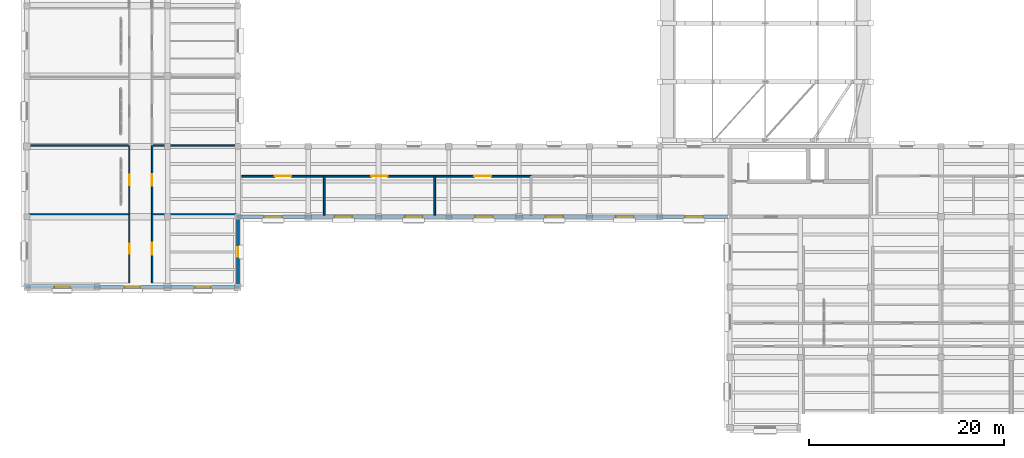
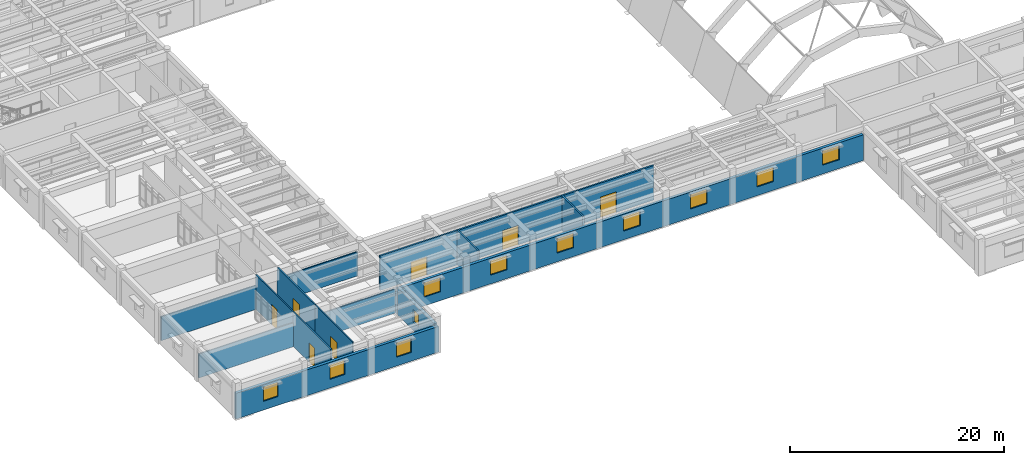
# One storey, part 37 of 66: 16 walls, 11 windows, 7 doors, 18 openings.
"""IFC4 building model written with IfcOpenShell, lengths in metres."""

from ifc_helpers import new_model, si_unit, direction, frame, frame_2d, origin, place, context, subcontext, project, spatial, rectangle, extrude, material, layer, layer_set, type_object, element, fill, save


model = new_model("IFC4")

# Units and contexts
model_context = context("Model", 3, precision=1e-05, world=origin(), true_north=direction((0.0, 1.0)))
body_context = subcontext(model_context, "Body", "Model", "MODEL_VIEW")
ifc_project = project(units=[si_unit("LENGTHUNIT", "METRE"), si_unit("AREAUNIT", "SQUARE_METRE"), si_unit("VOLUMEUNIT", "CUBIC_METRE"), si_unit("PLANEANGLEUNIT", "RADIAN"), si_unit("MASSUNIT", "GRAM", prefix="KILO")], contexts=[model_context])

# Site, building, storey
site_placement = place(None, origin())
site = spatial("IfcSite", under=ifc_project, at=site_placement, CompositionType="ELEMENT")
building_placement = place(site_placement, origin())
building = spatial("IfcBuilding", under=site, at=building_placement, Name="Mithqara Police Headquarters", CompositionType="ELEMENT")
storey_placement = place(building_placement, frame((0.0, 0.0, 9.60009765625)))
storey = spatial("IfcBuildingStorey", under=building, at=storey_placement, Name="L02", CompositionType="ELEMENT", Elevation=9.60009765625)

# Wall, openings, windows
ifc_material_1 = material(Name="Limestone ashlar masonry, 45 MPa", Category="masonry")
ifc_layer_1 = layer(ifc_material_1, 0.320068359375, Name="Limestone ashlar masonry, 45 MPa")
ifc_layer_set_1 = layer_set([ifc_layer_1], Name="Limestone ashlar masonry, 45 MPa")
wall_type_1 = type_object("IfcWallType", Name="EXT WALL LIMESTONE320", PredefinedType="SOLIDWALL", material=ifc_layer_set_1)
wall_1_placement = place(storey_placement, frame((7.639892578125, 21.0, 0.0), z_axis=(0.0, 0.0, 1.0), x_axis=(1.0, 0.0, 0.0)))
wall_1 = element("IfcWall", 1, at=wall_1_placement, inside=storey, type_object=wall_type_1, Name="L02 Exterior Wall 16.1", PredefinedType="SOLIDWALL", context=body_context, shape_type="SweptSolid", body=[
    extrude(rectangle(XDim=21.920166015625, YDim=0.320068359375, at=frame_2d((10.9599609375, 0.0))), origin(), (0.0, 0.0, 1.0), 2.93994140625),
])
opening_1_placement = place(wall_1_placement, frame((2.9599609375, 0.0, 1.0)))
opening_1 = element("IfcOpeningElement", 2, at=opening_1_placement, cuts=wall_1, Name="Opening W-27", PredefinedType="OPENING", context=body_context, shape_type="SweptSolid", body=[
    extrude(rectangle(XDim=1.60009765625, YDim=1.64990234375, at=frame_2d((0.800048828125, 0.824951171875))), frame((0.0, 0.169921875, 0.0), z_axis=(0.0, -1.0, 0.0), x_axis=(1.0, 0.0, 0.0)), (0.0, 0.0, 1.0), 0.340087890625),
])
opening_2_placement = place(wall_1_placement, frame((10.159912109375, 0.0, 1.0)))
opening_2 = element("IfcOpeningElement", 3, at=opening_2_placement, cuts=wall_1, Name="Opening W-27", PredefinedType="OPENING", context=body_context, shape_type="SweptSolid", body=[
    extrude(rectangle(XDim=1.60009765625, YDim=1.64990234375, at=frame_2d((0.800048828125, 0.824951171875))), frame((0.0, 0.169921875, 0.0), z_axis=(0.0, -1.0, 0.0), x_axis=(1.0, 0.0, 0.0)), (0.0, 0.0, 1.0), 0.340087890625),
])
opening_3_placement = place(wall_1_placement, frame((17.360107421875, 0.0, 1.0)))
opening_3 = element("IfcOpeningElement", 4, at=opening_3_placement, cuts=wall_1, Name="Opening W-27", PredefinedType="OPENING", context=body_context, shape_type="SweptSolid", body=[
    extrude(rectangle(XDim=1.60009765625, YDim=1.64990234375, at=frame_2d((0.800048828125, 0.824951171875))), frame((0.0, 0.169921875, 0.0), z_axis=(0.0, -1.0, 0.0), x_axis=(1.0, 0.0, 0.0)), (0.0, 0.0, 1.0), 0.340087890625),
])
ifc_material_2 = material(Name="Spectrally selective double low-e glass", Category="glass")
window_type_1 = type_object("IfcWindowType", Name="WINDOW 1600X1650", PartitioningType="SINGLE_PANEL", PredefinedType="WINDOW", material=ifc_material_2)
window_1_placement = place(opening_1_placement, origin())
window_1 = element("IfcWindow", 5, at=window_1_placement, inside=storey, type_object=window_type_1, Name="L02 Deep-Set Punched Window 16.1", OverallHeight=1.64990234375, OverallWidth=1.60009765625, PartitioningType="SINGLE_PANEL", PredefinedType="WINDOW", context=body_context, shape_type="SweptSolid", body=[
    extrude(rectangle(XDim=1.60009765625, YDim=1.64990234375, at=frame_2d((0.800048828125, 0.824951171875))), frame((0.0, 0.030029296875, 0.0), z_axis=(0.0, -1.0, 0.0), x_axis=(1.0, 0.0, 0.0)), (0.0, 0.0, 1.0), 0.06005859375),
])
fill(opening_1, window_1)
window_2_placement = place(opening_2_placement, origin())
window_2 = element("IfcWindow", 6, at=window_2_placement, inside=storey, type_object=window_type_1, Name="L02 Deep-Set Punched Window 16.2", OverallHeight=1.64990234375, OverallWidth=1.60009765625, PartitioningType="SINGLE_PANEL", PredefinedType="WINDOW", context=body_context, shape_type="SweptSolid", body=[
    extrude(rectangle(XDim=1.60009765625, YDim=1.64990234375, at=frame_2d((0.800048828125, 0.824951171875))), frame((0.0, 0.030029296875, 0.0), z_axis=(0.0, -1.0, 0.0), x_axis=(1.0, 0.0, 0.0)), (0.0, 0.0, 1.0), 0.06005859375),
])
fill(opening_2, window_2)
window_3_placement = place(opening_3_placement, origin())
window_3 = element("IfcWindow", 7, at=window_3_placement, inside=storey, type_object=window_type_1, Name="L02 Deep-Set Punched Window 16.3", OverallHeight=1.64990234375, OverallWidth=1.60009765625, PartitioningType="SINGLE_PANEL", PredefinedType="WINDOW", context=body_context, shape_type="SweptSolid", body=[
    extrude(rectangle(XDim=1.60009765625, YDim=1.64990234375, at=frame_2d((0.800048828125, 0.824951171875))), frame((0.0, 0.030029296875, 0.0), z_axis=(0.0, -1.0, 0.0), x_axis=(1.0, 0.0, 0.0)), (0.0, 0.0, 1.0), 0.06005859375),
])
fill(opening_3, window_3)

# Wall, opening, window
wall_2_placement = place(storey_placement, frame((29.39990234375, 21.159912109375, 0.0), z_axis=(0.0, 0.0, 1.0), x_axis=(0.0, 1.0, 0.0)))
wall_2 = element("IfcWall", 8, at=wall_2_placement, inside=storey, type_object=wall_type_1, Name="L02 Exterior Wall 17.1", PredefinedType="SOLIDWALL", context=body_context, shape_type="SweptSolid", body=[
    extrude(rectangle(XDim=6.880126953125, YDim=0.320068359375, at=frame_2d((3.43994140625, 0.0))), origin(), (0.0, 0.0, 1.0), 3.139892578125),
])
opening_4_placement = place(wall_2_placement, frame((2.93994140625, 0.0, 1.0)))
opening_4 = element("IfcOpeningElement", 9, at=opening_4_placement, cuts=wall_2, Name="Opening W-06", PredefinedType="OPENING", context=body_context, shape_type="SweptSolid", body=[
    extrude(rectangle(XDim=1.0, YDim=1.39990234375, at=frame_2d((0.5, 0.699951171875))), frame((0.0, 0.169921875, 0.0), z_axis=(0.0, -1.0, 0.0), x_axis=(1.0, 0.0, 0.0)), (0.0, 0.0, 1.0), 0.340087890625),
])
window_type_2 = type_object("IfcWindowType", Name="WINDOW 1000X1400", PartitioningType="SINGLE_PANEL", PredefinedType="WINDOW", material=ifc_material_2)
window_4_placement = place(opening_4_placement, origin())
window_4 = element("IfcWindow", 10, at=window_4_placement, inside=storey, type_object=window_type_2, Name="L02 Deep-Set Punched Window 17.1", OverallHeight=1.39990234375, OverallWidth=1.0, PartitioningType="SINGLE_PANEL", PredefinedType="WINDOW", context=body_context, shape_type="SweptSolid", body=[
    extrude(rectangle(XDim=1.0, YDim=1.39990234375, at=frame_2d((0.5, 0.699951171875))), frame((0.0, 0.030029296875, 0.0), z_axis=(0.0, -1.0, 0.0), x_axis=(1.0, 0.0, 0.0)), (0.0, 0.0, 1.0), 0.06005859375),
])
fill(opening_4, window_4)

# Wall, openings, windows
wall_3_placement = place(storey_placement, frame((29.239990234375, 28.199951171875, 0.0), z_axis=(0.0, 0.0, 1.0), x_axis=(1.0, 0.0, 0.0)))
wall_3 = element("IfcWall", 11, at=wall_3_placement, inside=storey, type_object=wall_type_1, Name="L02 Exterior Wall 18.1", PredefinedType="SOLIDWALL", context=body_context, shape_type="SweptSolid", body=[
    extrude(rectangle(XDim=50.3701171875, YDim=0.320068359375, at=frame_2d((25.18505859375, 0.0))), origin(), (0.0, 0.0, 1.0), 2.93994140625),
])
opening_5_placement = place(wall_3_placement, frame((2.860107421875, 0.0, 1.0)))
opening_5 = element("IfcOpeningElement", 12, at=opening_5_placement, cuts=wall_3, Name="Opening W-32", PredefinedType="OPENING", context=body_context, shape_type="SweptSolid", body=[
    extrude(rectangle(XDim=1.800048828125, YDim=1.64990234375, at=frame_2d((0.89990234375, 0.824951171875))), frame((0.0, 0.169921875, 0.0), z_axis=(0.0, -1.0, 0.0), x_axis=(1.0, 0.0, 0.0)), (0.0, 0.0, 1.0), 0.340087890625),
])
opening_6_placement = place(wall_3_placement, frame((10.06005859375, 0.0, 1.0)))
opening_6 = element("IfcOpeningElement", 13, at=opening_6_placement, cuts=wall_3, Name="Opening W-32", PredefinedType="OPENING", context=body_context, shape_type="SweptSolid", body=[
    extrude(rectangle(XDim=1.800048828125, YDim=1.64990234375, at=frame_2d((0.89990234375, 0.824951171875))), frame((0.0, 0.169921875, 0.0), z_axis=(0.0, -1.0, 0.0), x_axis=(1.0, 0.0, 0.0)), (0.0, 0.0, 1.0), 0.340087890625),
])
opening_7_placement = place(wall_3_placement, frame((17.260009765625, 0.0, 1.0)))
opening_7 = element("IfcOpeningElement", 14, at=opening_7_placement, cuts=wall_3, Name="Opening W-32", PredefinedType="OPENING", context=body_context, shape_type="SweptSolid", body=[
    extrude(rectangle(XDim=1.800048828125, YDim=1.64990234375, at=frame_2d((0.89990234375, 0.824951171875))), frame((0.0, 0.169921875, 0.0), z_axis=(0.0, -1.0, 0.0), x_axis=(1.0, 0.0, 0.0)), (0.0, 0.0, 1.0), 0.340087890625),
])
opening_8_placement = place(wall_3_placement, frame((24.4599609375, 0.0, 1.0)))
opening_8 = element("IfcOpeningElement", 15, at=opening_8_placement, cuts=wall_3, Name="Opening W-32", PredefinedType="OPENING", context=body_context, shape_type="SweptSolid", body=[
    extrude(rectangle(XDim=1.800048828125, YDim=1.64990234375, at=frame_2d((0.89990234375, 0.824951171875))), frame((0.0, 0.169921875, 0.0), z_axis=(0.0, -1.0, 0.0), x_axis=(1.0, 0.0, 0.0)), (0.0, 0.0, 1.0), 0.340087890625),
])
opening_9_placement = place(wall_3_placement, frame((31.659912109375, 0.0, 1.0)))
opening_9 = element("IfcOpeningElement", 16, at=opening_9_placement, cuts=wall_3, Name="Opening W-32", PredefinedType="OPENING", context=body_context, shape_type="SweptSolid", body=[
    extrude(rectangle(XDim=1.800048828125, YDim=1.64990234375, at=frame_2d((0.89990234375, 0.824951171875))), frame((0.0, 0.169921875, 0.0), z_axis=(0.0, -1.0, 0.0), x_axis=(1.0, 0.0, 0.0)), (0.0, 0.0, 1.0), 0.340087890625),
])
opening_10_placement = place(wall_3_placement, frame((38.860107421875, 0.0, 1.0)))
opening_10 = element("IfcOpeningElement", 17, at=opening_10_placement, cuts=wall_3, Name="Opening W-32", PredefinedType="OPENING", context=body_context, shape_type="SweptSolid", body=[
    extrude(rectangle(XDim=1.800048828125, YDim=1.64990234375, at=frame_2d((0.89990234375, 0.824951171875))), frame((0.0, 0.169921875, 0.0), z_axis=(0.0, -1.0, 0.0), x_axis=(1.0, 0.0, 0.0)), (0.0, 0.0, 1.0), 0.340087890625),
])
opening_11_placement = place(wall_3_placement, frame((45.965087890625, 0.0, 1.0)))
opening_11 = element("IfcOpeningElement", 18, at=opening_11_placement, cuts=wall_3, Name="Opening W-32", PredefinedType="OPENING", context=body_context, shape_type="SweptSolid", body=[
    extrude(rectangle(XDim=1.800048828125, YDim=1.64990234375, at=frame_2d((0.89990234375, 0.824951171875))), frame((0.0, 0.169921875, 0.0), z_axis=(0.0, -1.0, 0.0), x_axis=(1.0, 0.0, 0.0)), (0.0, 0.0, 1.0), 0.340087890625),
])
window_type_3 = type_object("IfcWindowType", Name="WINDOW 1800X1650", PartitioningType="DOUBLE_PANEL_VERTICAL", PredefinedType="WINDOW", material=ifc_material_2)
window_5_placement = place(opening_5_placement, origin())
window_5 = element("IfcWindow", 19, at=window_5_placement, inside=storey, type_object=window_type_3, Name="L02 Deep-Set Punched Window 18.1", OverallHeight=1.64990234375, OverallWidth=1.800048828125, PartitioningType="SINGLE_PANEL", PredefinedType="WINDOW", context=body_context, shape_type="SweptSolid", body=[
    extrude(rectangle(XDim=1.800048828125, YDim=1.64990234375, at=frame_2d((0.89990234375, 0.824951171875))), frame((0.0, 0.030029296875, 0.0), z_axis=(0.0, -1.0, 0.0), x_axis=(1.0, 0.0, 0.0)), (0.0, 0.0, 1.0), 0.06005859375),
])
fill(opening_5, window_5)
window_6_placement = place(opening_6_placement, origin())
window_6 = element("IfcWindow", 20, at=window_6_placement, inside=storey, type_object=window_type_3, Name="L02 Deep-Set Punched Window 18.2", OverallHeight=1.64990234375, OverallWidth=1.800048828125, PartitioningType="SINGLE_PANEL", PredefinedType="WINDOW", context=body_context, shape_type="SweptSolid", body=[
    extrude(rectangle(XDim=1.800048828125, YDim=1.64990234375, at=frame_2d((0.89990234375, 0.824951171875))), frame((0.0, 0.030029296875, 0.0), z_axis=(0.0, -1.0, 0.0), x_axis=(1.0, 0.0, 0.0)), (0.0, 0.0, 1.0), 0.06005859375),
])
fill(opening_6, window_6)
window_7_placement = place(opening_7_placement, origin())
window_7 = element("IfcWindow", 21, at=window_7_placement, inside=storey, type_object=window_type_3, Name="L02 Deep-Set Punched Window 18.3", OverallHeight=1.64990234375, OverallWidth=1.800048828125, PartitioningType="SINGLE_PANEL", PredefinedType="WINDOW", context=body_context, shape_type="SweptSolid", body=[
    extrude(rectangle(XDim=1.800048828125, YDim=1.64990234375, at=frame_2d((0.89990234375, 0.824951171875))), frame((0.0, 0.030029296875, 0.0), z_axis=(0.0, -1.0, 0.0), x_axis=(1.0, 0.0, 0.0)), (0.0, 0.0, 1.0), 0.06005859375),
])
fill(opening_7, window_7)
window_8_placement = place(opening_8_placement, origin())
window_8 = element("IfcWindow", 22, at=window_8_placement, inside=storey, type_object=window_type_3, Name="L02 Deep-Set Punched Window 18.4", OverallHeight=1.64990234375, OverallWidth=1.800048828125, PartitioningType="SINGLE_PANEL", PredefinedType="WINDOW", context=body_context, shape_type="SweptSolid", body=[
    extrude(rectangle(XDim=1.800048828125, YDim=1.64990234375, at=frame_2d((0.89990234375, 0.824951171875))), frame((0.0, 0.030029296875, 0.0), z_axis=(0.0, -1.0, 0.0), x_axis=(1.0, 0.0, 0.0)), (0.0, 0.0, 1.0), 0.06005859375),
])
fill(opening_8, window_8)
window_9_placement = place(opening_9_placement, origin())
window_9 = element("IfcWindow", 23, at=window_9_placement, inside=storey, type_object=window_type_3, Name="L02 Deep-Set Punched Window 18.5", OverallHeight=1.64990234375, OverallWidth=1.800048828125, PartitioningType="SINGLE_PANEL", PredefinedType="WINDOW", context=body_context, shape_type="SweptSolid", body=[
    extrude(rectangle(XDim=1.800048828125, YDim=1.64990234375, at=frame_2d((0.89990234375, 0.824951171875))), frame((0.0, 0.030029296875, 0.0), z_axis=(0.0, -1.0, 0.0), x_axis=(1.0, 0.0, 0.0)), (0.0, 0.0, 1.0), 0.06005859375),
])
fill(opening_9, window_9)
window_10_placement = place(opening_10_placement, origin())
window_10 = element("IfcWindow", 24, at=window_10_placement, inside=storey, type_object=window_type_3, Name="L02 Deep-Set Punched Window 18.6", OverallHeight=1.64990234375, OverallWidth=1.800048828125, PartitioningType="SINGLE_PANEL", PredefinedType="WINDOW", context=body_context, shape_type="SweptSolid", body=[
    extrude(rectangle(XDim=1.800048828125, YDim=1.64990234375, at=frame_2d((0.89990234375, 0.824951171875))), frame((0.0, 0.030029296875, 0.0), z_axis=(0.0, -1.0, 0.0), x_axis=(1.0, 0.0, 0.0)), (0.0, 0.0, 1.0), 0.06005859375),
])
fill(opening_10, window_10)
window_11_placement = place(opening_11_placement, origin())
window_11 = element("IfcWindow", 25, at=window_11_placement, inside=storey, type_object=window_type_3, Name="L02 Deep-Set Punched Window 18.7", OverallHeight=1.64990234375, OverallWidth=1.800048828125, PartitioningType="SINGLE_PANEL", PredefinedType="WINDOW", context=body_context, shape_type="SweptSolid", body=[
    extrude(rectangle(XDim=1.800048828125, YDim=1.64990234375, at=frame_2d((0.89990234375, 0.824951171875))), frame((0.0, 0.030029296875, 0.0), z_axis=(0.0, -1.0, 0.0), x_axis=(1.0, 0.0, 0.0)), (0.0, 0.0, 1.0), 0.06005859375),
])
fill(opening_11, window_11)

# Wall, opening, door
ifc_material_3 = material(Name="Gypsum acoustic stud partition", Category="gypsum")
ifc_layer_2 = layer(ifc_material_3, 0.139892578125, Name="Gypsum acoustic stud partition")
ifc_layer_set_2 = layer_set([ifc_layer_2], Name="Gypsum acoustic stud partition")
wall_type_2 = type_object("IfcWallType", Name="PART WALL 140", PredefinedType="PARTITIONING", material=ifc_layer_set_2)
wall_4_placement = place(storey_placement, frame((18.280029296875, 21.419921875, 0.0), z_axis=(0.0, 0.0, 1.0), x_axis=(0.0, 1.0, 0.0)))
wall_4 = element("IfcWall", 26, at=wall_4_placement, inside=storey, type_object=wall_type_2, Name="L02 Corridor Wall Press Briefing Auditorium", PredefinedType="PARTITIONING", context=body_context, shape_type="SweptSolid", body=[
    extrude(rectangle(XDim=7.031982421875, YDim=0.139892578125, at=frame_2d((3.51611328125, 0.0))), origin(), (0.0, 0.0, 1.0), 3.93994140625),
])
opening_12_placement = place(wall_4_placement, frame((2.99609375, 0.0, 0.0)))
opening_12 = element("IfcOpeningElement", 27, at=opening_12_placement, cuts=wall_4, Name="Opening D-08", PredefinedType="OPENING", context=body_context, shape_type="SweptSolid", body=[
    extrude(rectangle(XDim=1.0400390625, YDim=2.219970703125, at=frame_2d((0.52001953125, 1.10986328125))), frame((0.0, 0.080078125, 0.0), z_axis=(0.0, -1.0, 0.0), x_axis=(1.0, 0.0, 0.0)), (0.0, 0.0, 1.0), 0.159912109375),
])
ifc_material_4 = material(Name="Acoustic solid-core timber leaf", Category="wood")
door_type_1 = type_object("IfcDoorType", Name="INT DOOR 1040X2220", OperationType="NOTDEFINED", PredefinedType="DOOR", material=ifc_material_4)
door_1_placement = place(opening_12_placement, frame((1.0400390625, 0.0, 0.0), z_axis=(0.0, 0.0, 1.0), x_axis=(-1.0, 0.0, 0.0)))
door_1 = element("IfcDoor", 28, at=door_1_placement, inside=storey, type_object=door_type_1, Name="Press Briefing Auditorium Entry Door", OperationType="SINGLE_SWING_LEFT", OverallHeight=2.219970703125, OverallWidth=1.0400390625, PredefinedType="DOOR", context=body_context, shape_type="SweptSolid", body=[
    extrude(rectangle(XDim=1.0400390625, YDim=2.219970703125, at=frame_2d((0.52001953125, 1.10986328125))), frame((0.0, 0.02490234375, 0.0), z_axis=(0.0, -1.0, 0.0), x_axis=(1.0, 0.0, 0.0)), (0.0, 0.0, 1.0), 0.050048828125),
])
fill(opening_12, door_1)

# Wall
wall_5_placement = place(storey_placement, frame((7.97998046875, 28.451904296875, 0.0), z_axis=(0.0, 0.0, 1.0), x_axis=(1.0, 0.0, 0.0)))
element("IfcWall", 29, at=wall_5_placement, inside=storey, type_object=wall_type_2, Name="L02 Room Partition Press Briefing Auditorium", PredefinedType="PARTITIONING", context=body_context, shape_type="SweptSolid", body=[
    extrude(rectangle(XDim=10.300048828125, YDim=0.139892578125, at=frame_2d((5.14990234375, 0.0))), origin(), (0.0, 0.0, 1.0), 2.739990234375),
])

# Wall, opening, door
wall_6_placement = place(storey_placement, frame((18.280029296875, 28.451904296875, 0.0), z_axis=(0.0, 0.0, 1.0), x_axis=(0.0, 1.0, 0.0)))
wall_6 = element("IfcWall", 30, at=wall_6_placement, inside=storey, type_object=wall_type_2, Name="L02 Corridor Wall Media Control Room", PredefinedType="PARTITIONING", context=body_context, shape_type="SweptSolid", body=[
    extrude(rectangle(XDim=7.031982421875, YDim=0.139892578125, at=frame_2d((3.51611328125, 0.0))), origin(), (0.0, 0.0, 1.0), 3.93994140625),
])
opening_13_placement = place(wall_6_placement, frame((2.99609375, 0.0, 0.0)))
opening_13 = element("IfcOpeningElement", 31, at=opening_13_placement, cuts=wall_6, Name="Opening D-09", PredefinedType="OPENING", context=body_context, shape_type="SweptSolid", body=[
    extrude(rectangle(XDim=1.0400390625, YDim=2.35009765625, at=frame_2d((0.52001953125, 1.175048828125))), frame((0.0, 0.080078125, 0.0), z_axis=(0.0, -1.0, 0.0), x_axis=(1.0, 0.0, 0.0)), (0.0, 0.0, 1.0), 0.159912109375),
])
door_type_2 = type_object("IfcDoorType", Name="INT DOOR 1040X2350", OperationType="NOTDEFINED", PredefinedType="DOOR", material=ifc_material_4)
door_2_placement = place(opening_13_placement, frame((1.0400390625, 0.0, 0.0), z_axis=(0.0, 0.0, 1.0), x_axis=(-1.0, 0.0, 0.0)))
door_2 = element("IfcDoor", 32, at=door_2_placement, inside=storey, type_object=door_type_2, Name="Media Control Room Entry Door", OperationType="SINGLE_SWING_RIGHT", OverallHeight=2.35009765625, OverallWidth=1.0400390625, PredefinedType="DOOR", context=body_context, shape_type="SweptSolid", body=[
    extrude(rectangle(XDim=1.0400390625, YDim=2.35009765625, at=frame_2d((0.52001953125, 1.175048828125))), frame((0.0, 0.02490234375, 0.0), z_axis=(0.0, -1.0, 0.0), x_axis=(1.0, 0.0, 0.0)), (0.0, 0.0, 1.0), 0.050048828125),
])
fill(opening_13, door_2)

# Wall
wall_7_placement = place(storey_placement, frame((7.97998046875, 35.48388671875, 0.0), z_axis=(0.0, 0.0, 1.0), x_axis=(1.0, 0.0, 0.0)))
element("IfcWall", 33, at=wall_7_placement, inside=storey, type_object=wall_type_2, Name="L02 Room Partition Media Control Room", PredefinedType="PARTITIONING", context=body_context, shape_type="SweptSolid", body=[
    extrude(rectangle(XDim=10.300048828125, YDim=0.139892578125, at=frame_2d((5.14990234375, 0.0))), origin(), (0.0, 0.0, 1.0), 2.739990234375),
])

# Wall, opening, door
wall_8_placement = place(storey_placement, frame((20.6201171875, 21.419921875, 0.0), z_axis=(0.0, 0.0, 1.0), x_axis=(0.0, 1.0, 0.0)))
wall_8 = element("IfcWall", 34, at=wall_8_placement, inside=storey, type_object=wall_type_2, Name="L02 Corridor Wall Simultaneous Interpretation Booth", PredefinedType="PARTITIONING", context=body_context, shape_type="SweptSolid", body=[
    extrude(rectangle(XDim=7.031982421875, YDim=0.139892578125, at=frame_2d((3.51611328125, 0.0))), origin(), (0.0, 0.0, 1.0), 3.93994140625),
])
opening_14_placement = place(wall_8_placement, frame((2.906005859375, 0.0, 0.0)))
opening_14 = element("IfcOpeningElement", 35, at=opening_14_placement, cuts=wall_8, Name="Opening D-13", PredefinedType="OPENING", context=body_context, shape_type="SweptSolid", body=[
    extrude(rectangle(XDim=1.219970703125, YDim=2.10009765625, at=frame_2d((0.60986328125, 1.050048828125))), frame((0.0, 0.080078125, 0.0), z_axis=(0.0, -1.0, 0.0), x_axis=(1.0, 0.0, 0.0)), (0.0, 0.0, 1.0), 0.159912109375),
])
door_type_3 = type_object("IfcDoorType", Name="INT DOOR 1220X2100", OperationType="NOTDEFINED", PredefinedType="DOOR", material=ifc_material_4)
door_3_placement = place(opening_14_placement, origin())
door_3 = element("IfcDoor", 36, at=door_3_placement, inside=storey, type_object=door_type_3, Name="Simultaneous Interpretation Booth Entry Door", OperationType="SINGLE_SWING_RIGHT", OverallHeight=2.10009765625, OverallWidth=1.219970703125, PredefinedType="DOOR", context=body_context, shape_type="SweptSolid", body=[
    extrude(rectangle(XDim=1.219970703125, YDim=2.10009765625, at=frame_2d((0.60986328125, 1.050048828125))), frame((0.0, 0.02490234375, 0.0), z_axis=(0.0, -1.0, 0.0), x_axis=(1.0, 0.0, 0.0)), (0.0, 0.0, 1.0), 0.050048828125),
])
fill(opening_14, door_3)

# Wall
wall_9_placement = place(storey_placement, frame((20.6201171875, 28.451904296875, 0.0), z_axis=(0.0, 0.0, 1.0), x_axis=(1.0, 0.0, 0.0)))
element("IfcWall", 37, at=wall_9_placement, inside=storey, type_object=wall_type_2, Name="L02 Room Partition Simultaneous Interpretation Booth", PredefinedType="PARTITIONING", context=body_context, shape_type="SweptSolid", body=[
    extrude(rectangle(XDim=8.599853515625, YDim=0.139892578125, at=frame_2d((4.2998046875, 0.0))), origin(), (0.0, 0.0, 1.0), 2.739990234375),
])

# Wall, opening, door
wall_10_placement = place(storey_placement, frame((20.6201171875, 28.451904296875, 0.0), z_axis=(0.0, 0.0, 1.0), x_axis=(0.0, 1.0, 0.0)))
wall_10 = element("IfcWall", 38, at=wall_10_placement, inside=storey, type_object=wall_type_2, Name="L02 Corridor Wall Press Briefing Auditorium", PredefinedType="PARTITIONING", context=body_context, shape_type="SweptSolid", body=[
    extrude(rectangle(XDim=7.031982421875, YDim=0.139892578125, at=frame_2d((3.51611328125, 0.0))), origin(), (0.0, 0.0, 1.0), 3.93994140625),
])
opening_15_placement = place(wall_10_placement, frame((2.906005859375, 0.0, 0.0)))
opening_15 = element("IfcOpeningElement", 39, at=opening_15_placement, cuts=wall_10, Name="Opening D-14", PredefinedType="OPENING", context=body_context, shape_type="SweptSolid", body=[
    extrude(rectangle(XDim=1.219970703125, YDim=2.219970703125, at=frame_2d((0.60986328125, 1.10986328125))), frame((0.0, 0.080078125, 0.0), z_axis=(0.0, -1.0, 0.0), x_axis=(1.0, 0.0, 0.0)), (0.0, 0.0, 1.0), 0.159912109375),
])
door_type_4 = type_object("IfcDoorType", Name="INT DOOR 1220X2220", OperationType="NOTDEFINED", PredefinedType="DOOR", material=ifc_material_4)
door_4_placement = place(opening_15_placement, origin())
door_4 = element("IfcDoor", 40, at=door_4_placement, inside=storey, type_object=door_type_4, Name="Press Briefing Auditorium Entry Door", OperationType="SINGLE_SWING_LEFT", OverallHeight=2.219970703125, OverallWidth=1.219970703125, PredefinedType="DOOR", context=body_context, shape_type="SweptSolid", body=[
    extrude(rectangle(XDim=1.219970703125, YDim=2.219970703125, at=frame_2d((0.60986328125, 1.10986328125))), frame((0.0, 0.02490234375, 0.0), z_axis=(0.0, -1.0, 0.0), x_axis=(1.0, 0.0, 0.0)), (0.0, 0.0, 1.0), 0.050048828125),
])
fill(opening_15, door_4)

# Wall
wall_11_placement = place(storey_placement, frame((20.6201171875, 35.48388671875, 0.0), z_axis=(0.0, 0.0, 1.0), x_axis=(1.0, 0.0, 0.0)))
element("IfcWall", 41, at=wall_11_placement, inside=storey, type_object=wall_type_2, Name="L02 Room Partition Press Briefing Auditorium", PredefinedType="PARTITIONING", context=body_context, shape_type="SweptSolid", body=[
    extrude(rectangle(XDim=8.599853515625, YDim=0.139892578125, at=frame_2d((4.2998046875, 0.0))), origin(), (0.0, 0.0, 1.0), 2.739990234375),
])

# Wall, opening, door
ifc_material_5 = material(Name="Concrete C40/50", Category="concrete")
ifc_layer_3 = layer(ifc_material_5, 0.179931640625, Name="Concrete C40/50")
ifc_layer_set_3 = layer_set([ifc_layer_3], Name="Concrete C40/50")
wall_type_3 = type_object("IfcWallType", Name="PART WALL 180", PredefinedType="PARTITIONING", material=ifc_layer_set_3)
wall_12_placement = place(storey_placement, frame((29.820068359375, 32.360107421875, 0.0), z_axis=(0.0, 0.0, 1.0), x_axis=(1.0, 0.0, 0.0)))
wall_12 = element("IfcWall", 42, at=wall_12_placement, inside=storey, type_object=wall_type_3, Name="L02 Corridor Wall Community Safety Analysis Office", PredefinedType="PARTITIONING", context=body_context, shape_type="SweptSolid", body=[
    extrude(rectangle(XDim=8.416015625, YDim=0.179931640625, at=frame_2d((4.2080078125, 0.0))), origin(), (0.0, 0.0, 1.0), 3.93994140625),
])
opening_16_placement = place(wall_12_placement, frame((3.347900390625, 0.0, 0.0)))
opening_16 = element("IfcOpeningElement", 43, at=opening_16_placement, cuts=wall_12, Name="Opening D-22", PredefinedType="OPENING", context=body_context, shape_type="SweptSolid", body=[
    extrude(rectangle(XDim=1.719970703125, YDim=2.10009765625, at=frame_2d((0.85986328125, 1.050048828125))), frame((0.0, 0.10009765625, 0.0), z_axis=(0.0, -1.0, 0.0), x_axis=(1.0, 0.0, 0.0)), (0.0, 0.0, 1.0), 0.199951171875),
])
ifc_material_6 = material(Name="Bronze anodised aluminium 6063-T6", Category="aluminium")
door_type_5 = type_object("IfcDoorType", Name="INT DOOR 1720X2100", OperationType="NOTDEFINED", PredefinedType="DOOR", material=ifc_material_6)
door_5_placement = place(opening_16_placement, frame((1.719970703125, 0.0, 0.0), z_axis=(0.0, 0.0, 1.0), x_axis=(-1.0, 0.0, 0.0)))
door_5 = element("IfcDoor", 44, at=door_5_placement, inside=storey, type_object=door_type_5, Name="Community Safety Analysis Office Entry Door", OperationType="DOUBLE_DOOR_SINGLE_SWING", OverallHeight=2.10009765625, OverallWidth=1.719970703125, PredefinedType="DOOR", context=body_context, shape_type="SweptSolid", body=[
    extrude(rectangle(XDim=1.719970703125, YDim=2.10009765625, at=frame_2d((0.85986328125, 1.050048828125))), frame((0.0, 0.02490234375, 0.0), z_axis=(0.0, -1.0, 0.0), x_axis=(1.0, 0.0, 0.0)), (0.0, 0.0, 1.0), 0.050048828125),
])
fill(opening_16, door_5)

# Wall
wall_13_placement = place(storey_placement, frame((38.236083984375, 28.3798828125, 0.0), z_axis=(0.0, 0.0, 1.0), x_axis=(0.0, 1.0, 0.0)))
element("IfcWall", 45, at=wall_13_placement, inside=storey, type_object=wall_type_3, Name="L02 Room Partition Community Safety Analysis Office", PredefinedType="PARTITIONING", context=body_context, shape_type="SweptSolid", body=[
    extrude(rectangle(XDim=3.980224609375, YDim=0.179931640625, at=frame_2d((1.990234375, 0.0))), origin(), (0.0, 0.0, 1.0), 3.93994140625),
])

# Wall, opening, door
wall_14_placement = place(storey_placement, frame((38.236083984375, 32.360107421875, 0.0), z_axis=(0.0, 0.0, 1.0), x_axis=(1.0, 0.0, 0.0)))
wall_14 = element("IfcWall", 46, at=wall_14_placement, inside=storey, type_object=wall_type_3, Name="L02 Corridor Wall Crime Prevention Outreach Room", PredefinedType="PARTITIONING", context=body_context, shape_type="SweptSolid", body=[
    extrude(rectangle(XDim=11.31591796875, YDim=0.179931640625, at=frame_2d((5.657958984375, 0.0))), origin(), (0.0, 0.0, 1.0), 3.93994140625),
])
opening_17_placement = place(wall_14_placement, frame((4.798095703125, 0.0, 0.0)))
opening_17 = element("IfcOpeningElement", 47, at=opening_17_placement, cuts=wall_14, Name="Opening D-23", PredefinedType="OPENING", context=body_context, shape_type="SweptSolid", body=[
    extrude(rectangle(XDim=1.719970703125, YDim=2.219970703125, at=frame_2d((0.85986328125, 1.10986328125))), frame((0.0, 0.10009765625, 0.0), z_axis=(0.0, -1.0, 0.0), x_axis=(1.0, 0.0, 0.0)), (0.0, 0.0, 1.0), 0.199951171875),
])
door_type_6 = type_object("IfcDoorType", Name="INT DOOR 1720X2220", OperationType="NOTDEFINED", PredefinedType="DOOR", material=ifc_material_6)
door_6_placement = place(opening_17_placement, frame((1.719970703125, 0.0, 0.0), z_axis=(0.0, 0.0, 1.0), x_axis=(-1.0, 0.0, 0.0)))
door_6 = element("IfcDoor", 48, at=door_6_placement, inside=storey, type_object=door_type_6, Name="Crime Prevention Outreach Room Entry Door", OperationType="DOUBLE_DOOR_SINGLE_SWING", OverallHeight=2.219970703125, OverallWidth=1.719970703125, PredefinedType="DOOR", context=body_context, shape_type="SweptSolid", body=[
    extrude(rectangle(XDim=1.719970703125, YDim=2.219970703125, at=frame_2d((0.85986328125, 1.10986328125))), frame((0.0, 0.02490234375, 0.0), z_axis=(0.0, -1.0, 0.0), x_axis=(1.0, 0.0, 0.0)), (0.0, 0.0, 1.0), 0.050048828125),
])
fill(opening_17, door_6)

# Wall
wall_15_placement = place(storey_placement, frame((49.552001953125, 28.3798828125, 0.0), z_axis=(0.0, 0.0, 1.0), x_axis=(0.0, 1.0, 0.0)))
element("IfcWall", 49, at=wall_15_placement, inside=storey, type_object=wall_type_3, Name="L02 Room Partition Crime Prevention Outreach Room", PredefinedType="PARTITIONING", context=body_context, shape_type="SweptSolid", body=[
    extrude(rectangle(XDim=3.980224609375, YDim=0.179931640625, at=frame_2d((1.990234375, 0.0))), origin(), (0.0, 0.0, 1.0), 3.93994140625),
])

# Wall, opening, door
wall_16_placement = place(storey_placement, frame((49.552001953125, 32.360107421875, 0.0), z_axis=(0.0, 0.0, 1.0), x_axis=(1.0, 0.0, 0.0)))
wall_16 = element("IfcWall", 50, at=wall_16_placement, inside=storey, type_object=wall_type_3, Name="L02 Corridor Wall Community Safety Analysis Office", PredefinedType="PARTITIONING", context=body_context, shape_type="SweptSolid", body=[
    extrude(rectangle(XDim=9.865966796875, YDim=0.179931640625, at=frame_2d((4.93310546875, 0.0))), origin(), (0.0, 0.0, 1.0), 3.93994140625),
])
opening_18_placement = place(wall_16_placement, frame((4.072998046875, 0.0, 0.0)))
opening_18 = element("IfcOpeningElement", 51, at=opening_18_placement, cuts=wall_16, Name="Opening D-24", PredefinedType="OPENING", context=body_context, shape_type="SweptSolid", body=[
    extrude(rectangle(XDim=1.719970703125, YDim=2.35009765625, at=frame_2d((0.85986328125, 1.175048828125))), frame((0.0, 0.10009765625, 0.0), z_axis=(0.0, -1.0, 0.0), x_axis=(1.0, 0.0, 0.0)), (0.0, 0.0, 1.0), 0.199951171875),
])
door_type_7 = type_object("IfcDoorType", Name="INT DOOR 1720X2350", OperationType="NOTDEFINED", PredefinedType="DOOR", material=ifc_material_6)
door_7_placement = place(opening_18_placement, frame((1.719970703125, 0.0, 0.0), z_axis=(0.0, 0.0, 1.0), x_axis=(-1.0, 0.0, 0.0)))
door_7 = element("IfcDoor", 52, at=door_7_placement, inside=storey, type_object=door_type_7, Name="Community Safety Analysis Office Entry Door", OperationType="DOUBLE_DOOR_SINGLE_SWING", OverallHeight=2.35009765625, OverallWidth=1.719970703125, PredefinedType="DOOR", context=body_context, shape_type="SweptSolid", body=[
    extrude(rectangle(XDim=1.719970703125, YDim=2.35009765625, at=frame_2d((0.85986328125, 1.175048828125))), frame((0.0, 0.02490234375, 0.0), z_axis=(0.0, -1.0, 0.0), x_axis=(1.0, 0.0, 0.0)), (0.0, 0.0, 1.0), 0.050048828125),
])
fill(opening_18, door_7)

save(model, "model.ifc")
